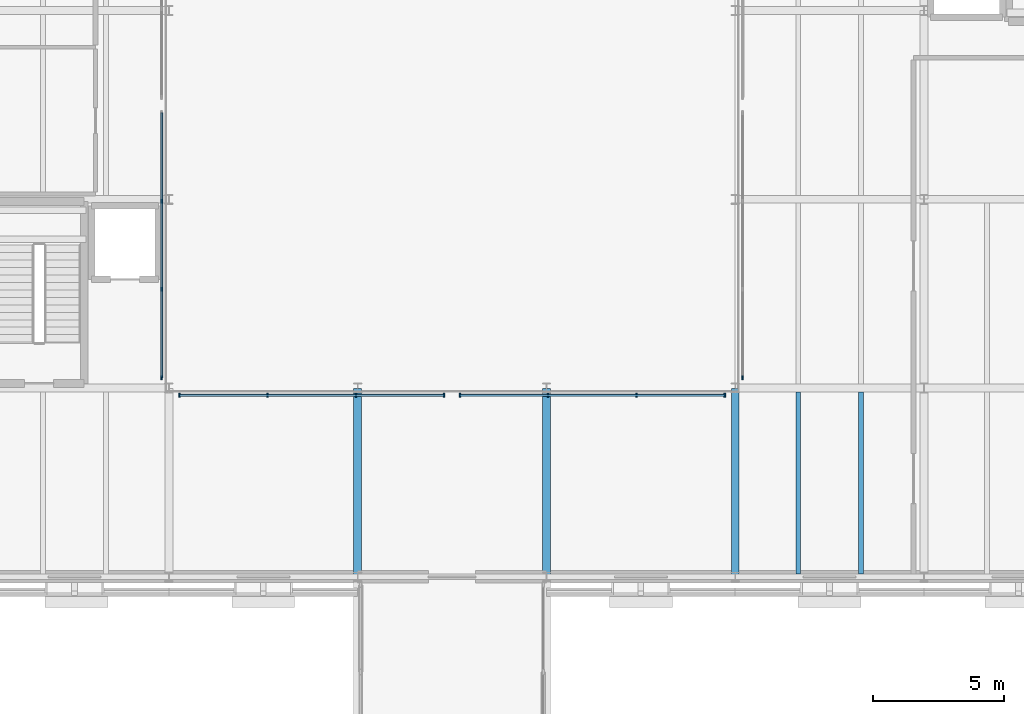
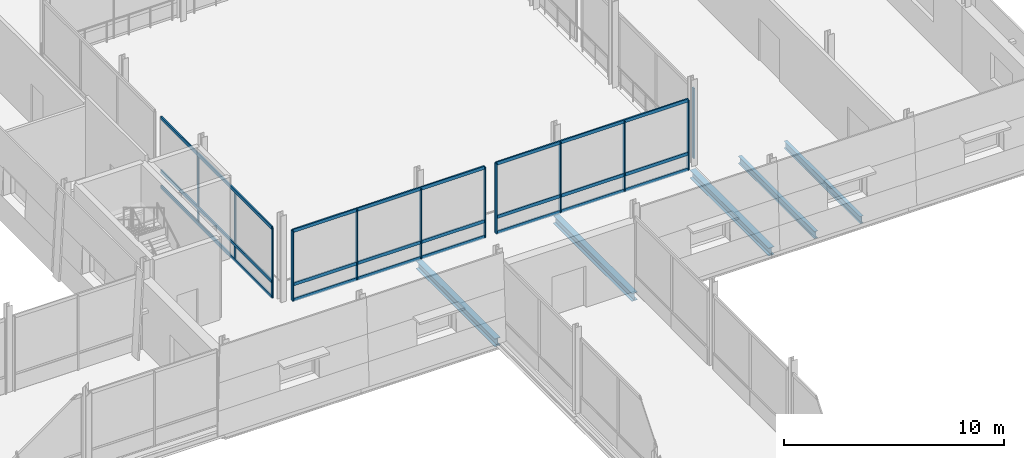
# One storey, part 45 of 121: 21 members, 5 beams, 4 elements without a shape of their own.
"""IFC4 building model written with IfcOpenShell, lengths in metres."""

from ifc_helpers import new_model, si_unit, direction, frame, origin, origin_2d, place, context, subcontext, project, spatial, rectangle, i_section, extrude, material, layer, layer_set, material_profile, profile_set, type_object, element, aggregate, save


model = new_model("IFC4")

# Units and contexts
model_context = context("Model", 3, precision=1e-05, world=origin(), true_north=direction((0.0, 1.0)))
body_context = subcontext(model_context, "Body", "Model", "MODEL_VIEW")
ifc_project = project(units=[si_unit("LENGTHUNIT", "METRE"), si_unit("AREAUNIT", "SQUARE_METRE"), si_unit("VOLUMEUNIT", "CUBIC_METRE"), si_unit("PLANEANGLEUNIT", "RADIAN"), si_unit("MASSUNIT", "GRAM", prefix="KILO")], contexts=[model_context])

# Site, building, storey
site_placement = place(None, origin())
site = spatial("IfcSite", under=ifc_project, at=site_placement, CompositionType="ELEMENT")
building_placement = place(site_placement, origin())
building = spatial("IfcBuilding", under=site, at=building_placement, Name="Narikvali Park Central Library", CompositionType="ELEMENT")
storey_placement = place(building_placement, frame((0.0, 0.0, 5.39990234375)))
storey = spatial("IfcBuildingStorey", under=building, at=storey_placement, Name="L01", CompositionType="ELEMENT", Elevation=5.39990234375)

# Beams
ifc_material_1 = material(Name="Steel S355", Category="steel")
ifc_material_profile_1 = material_profile(ifc_material_1, i_section(OverallWidth=0.179931640625, OverallDepth=0.39990234375, WebThickness=0.008544921875, FlangeThickness=0.013427734375, FilletRadius=0.02099609375, at=origin_2d()), Name="IPE 400")
ifc_profile_set_1 = profile_set([ifc_material_profile_1], Name="Steel S355")
beam_type_1 = type_object("IfcBeamType", Name="Composite Floor Joist IPE400", PredefinedType="JOIST", material=ifc_profile_set_1)
for number, where, z_axis, x_axis, name in (
    (1, (153.60009765625, 79.304931640625, -0.47998046875), (0.0, 1.0, 0.0), (-1.0, 0.0, 0.0), "V3 L01 Composite Joist 1"),
    (2, (156.0, 79.304931640625, -0.47998046875), (0.0, 1.0, 0.0), (-1.0, 0.0, 0.0), "V3 L01 Composite Joist 2"),
):
    element("IfcBeam", number, at=place(storey_placement, frame(where, z_axis=z_axis, x_axis=x_axis)), inside=storey, type_object=beam_type_1, Name=name, PredefinedType="JOIST", context=body_context, shape_type="SweptSolid", body=[
        extrude(i_section(OverallWidth=0.179931640625, OverallDepth=0.39990234375, WebThickness=0.008544921875, FlangeThickness=0.013427734375, FilletRadius=0.02099609375, at=origin_2d()), origin(), (0.0, 0.0, 1.0), 6.945068359375),
    ])

# Curtain wall, members
ifc_material_2 = material(Name="Anodised Bronze Aluminium", Category="aluminium")
ifc_layer = layer(ifc_material_2, 0.219970703125, Name="Anodised Bronze Aluminium")
ifc_layer_set = layer_set([ifc_layer], Name="Anodised Bronze Aluminium")
curtain_wall_type = type_object("IfcCurtainWallType", Name="Atrium Tall Curtain Wall System", PredefinedType="NOTDEFINED", material=ifc_layer_set)
curtain_wall_1_placement = place(storey_placement, origin())
curtain_wall_1 = element("IfcCurtainWall", 3, at=curtain_wall_1_placement, inside=storey, type_object=curtain_wall_type, Name="Atrium Tall Curtain Wall System CW-INT-V3-L01-W1", PredefinedType="NOTDEFINED")
ifc_material_profile_2 = material_profile(ifc_material_2, rectangle(XDim=0.074951171875, YDim=0.179931640625, at=origin_2d()), Name="CW TRANSOM 75x180")
ifc_profile_set_2 = profile_set([ifc_material_profile_2], Name="Anodised Bronze Aluminium")
member_type_1 = type_object("IfcMemberType", Name="Curtain Wall Heavy Transom 75x180", PredefinedType="USERDEFINED", material=ifc_profile_set_2)
member_1_placement = place(storey_placement, frame((129.320068359375, 86.800048828125, 0.030029296875), z_axis=(0.0, 1.0, 0.0), x_axis=(-1.0, 0.0, 0.0)))
member_1 = element("IfcMember", 4, at=member_1_placement, type_object=member_type_1, Name="CW-INT-V3-L01-W1 Transom 00", ObjectType="TRANSOM", PredefinedType="USERDEFINED", context=body_context, shape_type="SweptSolid", body=[
    extrude(rectangle(XDim=0.074951171875, YDim=0.179931640625, at=origin_2d()), origin(), (0.0, 0.0, 1.0), 10.099853515625),
])
member_2_placement = place(storey_placement, frame((129.320068359375, 86.800048828125, 0.900146484375), z_axis=(0.0, 1.0, 0.0), x_axis=(-1.0, 0.0, 0.0)))
member_2 = element("IfcMember", 5, at=member_2_placement, type_object=member_type_1, Name="CW-INT-V3-L01-W1 Transom 01", ObjectType="TRANSOM", PredefinedType="USERDEFINED", context=body_context, shape_type="SweptSolid", body=[
    extrude(rectangle(XDim=0.074951171875, YDim=0.179931640625, at=origin_2d()), origin(), (0.0, 0.0, 1.0), 10.099853515625),
])
member_3_placement = place(storey_placement, frame((129.320068359375, 86.800048828125, 3.8701171875), z_axis=(0.0, 1.0, 0.0), x_axis=(-1.0, 0.0, 0.0)))
member_3 = element("IfcMember", 6, at=member_3_placement, type_object=member_type_1, Name="CW-INT-V3-L01-W1 Transom 02", ObjectType="TRANSOM", PredefinedType="USERDEFINED", context=body_context, shape_type="SweptSolid", body=[
    extrude(rectangle(XDim=0.074951171875, YDim=0.179931640625, at=origin_2d()), origin(), (0.0, 0.0, 1.0), 10.099853515625),
])

curtain_wall_2_placement = place(storey_placement, origin())
curtain_wall_2 = element("IfcCurtainWall", 7, at=curtain_wall_2_placement, inside=storey, type_object=curtain_wall_type, Name="Atrium Tall Curtain Wall System CW-INT-V3-L01-S1", PredefinedType="NOTDEFINED")
member_4_placement = place(storey_placement, frame((130.0, 86.1201171875, 0.030029296875), z_axis=(1.0, 0.0, 0.0), x_axis=(0.0, 1.0, 0.0)))
member_4 = element("IfcMember", 8, at=member_4_placement, type_object=member_type_1, Name="CW-INT-V3-L01-S1 Transom 00", ObjectType="TRANSOM", PredefinedType="USERDEFINED", context=body_context, shape_type="SweptSolid", body=[
    extrude(rectangle(XDim=0.074951171875, YDim=0.179931640625, at=origin_2d()), origin(), (0.0, 0.0, 1.0), 10.10009765625),
])
member_5_placement = place(storey_placement, frame((130.0, 86.1201171875, 0.900146484375), z_axis=(1.0, 0.0, 0.0), x_axis=(0.0, 1.0, 0.0)))
member_5 = element("IfcMember", 9, at=member_5_placement, type_object=member_type_1, Name="CW-INT-V3-L01-S1 Transom 01", ObjectType="TRANSOM", PredefinedType="USERDEFINED", context=body_context, shape_type="SweptSolid", body=[
    extrude(rectangle(XDim=0.074951171875, YDim=0.179931640625, at=origin_2d()), origin(), (0.0, 0.0, 1.0), 10.10009765625),
])
member_6_placement = place(storey_placement, frame((130.0, 86.1201171875, 3.8701171875), z_axis=(1.0, 0.0, 0.0), x_axis=(0.0, 1.0, 0.0)))
member_6 = element("IfcMember", 10, at=member_6_placement, type_object=member_type_1, Name="CW-INT-V3-L01-S1 Transom 02", ObjectType="TRANSOM", PredefinedType="USERDEFINED", context=body_context, shape_type="SweptSolid", body=[
    extrude(rectangle(XDim=0.074951171875, YDim=0.179931640625, at=origin_2d()), origin(), (0.0, 0.0, 1.0), 10.10009765625),
])

curtain_wall_3_placement = place(storey_placement, origin())
curtain_wall_3 = element("IfcCurtainWall", 11, at=curtain_wall_3_placement, inside=storey, type_object=curtain_wall_type, Name="Atrium Tall Curtain Wall System CW-INT-V3-L01-S2", PredefinedType="NOTDEFINED")
member_7_placement = place(storey_placement, frame((140.699951171875, 86.1201171875, 0.030029296875), z_axis=(1.0, 0.0, 0.0), x_axis=(0.0, 1.0, 0.0)))
member_7 = element("IfcMember", 12, at=member_7_placement, type_object=member_type_1, Name="CW-INT-V3-L01-S2 Transom 00", ObjectType="TRANSOM", PredefinedType="USERDEFINED", context=body_context, shape_type="SweptSolid", body=[
    extrude(rectangle(XDim=0.074951171875, YDim=0.179931640625, at=origin_2d()), origin(), (0.0, 0.0, 1.0), 10.10009765625),
])
member_8_placement = place(storey_placement, frame((140.699951171875, 86.1201171875, 0.900146484375), z_axis=(1.0, 0.0, 0.0), x_axis=(0.0, 1.0, 0.0)))
member_8 = element("IfcMember", 13, at=member_8_placement, type_object=member_type_1, Name="CW-INT-V3-L01-S2 Transom 01", ObjectType="TRANSOM", PredefinedType="USERDEFINED", context=body_context, shape_type="SweptSolid", body=[
    extrude(rectangle(XDim=0.074951171875, YDim=0.179931640625, at=origin_2d()), origin(), (0.0, 0.0, 1.0), 10.10009765625),
])
member_9_placement = place(storey_placement, frame((140.699951171875, 86.1201171875, 3.8701171875), z_axis=(1.0, 0.0, 0.0), x_axis=(0.0, 1.0, 0.0)))
member_9 = element("IfcMember", 14, at=member_9_placement, type_object=member_type_1, Name="CW-INT-V3-L01-S2 Transom 02", ObjectType="TRANSOM", PredefinedType="USERDEFINED", context=body_context, shape_type="SweptSolid", body=[
    extrude(rectangle(XDim=0.074951171875, YDim=0.179931640625, at=origin_2d()), origin(), (0.0, 0.0, 1.0), 10.10009765625),
])

# Member
ifc_material_profile_3 = material_profile(ifc_material_2, rectangle(XDim=0.06005859375, YDim=0.14990234375, at=origin_2d()), Name="CW MULLION 60x150")
ifc_profile_set_3 = profile_set([ifc_material_profile_3], Name="Anodised Bronze Aluminium")
member_type_2 = type_object("IfcMemberType", Name="Curtain Wall Mullion 60x150", PredefinedType="MULLION", material=ifc_profile_set_3)
member_10_placement = place(storey_placement, frame((129.320068359375, 86.800048828125, -0.010009765625), z_axis=(0.0, 0.0, 1.0), x_axis=(1.0, 0.0, 0.0)))
member_10 = element("IfcMember", 15, at=member_10_placement, type_object=member_type_2, Name="CW-INT-V3-L01-W1 Mullion 00", PredefinedType="MULLION", context=body_context, shape_type="SweptSolid", body=[
    extrude(rectangle(XDim=0.06005859375, YDim=0.14990234375, at=origin_2d()), origin(), (0.0, 0.0, 1.0), 3.91015625),
])

member_11_placement = place(storey_placement, frame((129.320068359375, 90.166748046875, -0.010009765625), z_axis=(0.0, 0.0, 1.0), x_axis=(1.0, 0.0, 0.0)))
member_11 = element("IfcMember", 16, at=member_11_placement, type_object=member_type_2, Name="CW-INT-V3-L01-W1 Mullion 01", PredefinedType="MULLION", context=body_context, shape_type="SweptSolid", body=[
    extrude(rectangle(XDim=0.06005859375, YDim=0.14990234375, at=origin_2d()), origin(), (0.0, 0.0, 1.0), 3.91015625),
])

member_12_placement = place(storey_placement, frame((129.320068359375, 93.533203125, -0.010009765625), z_axis=(0.0, 0.0, 1.0), x_axis=(1.0, 0.0, 0.0)))
member_12 = element("IfcMember", 17, at=member_12_placement, type_object=member_type_2, Name="CW-INT-V3-L01-W1 Mullion 02", PredefinedType="MULLION", context=body_context, shape_type="SweptSolid", body=[
    extrude(rectangle(XDim=0.06005859375, YDim=0.14990234375, at=origin_2d()), origin(), (0.0, 0.0, 1.0), 3.91015625),
])

aggregate(curtain_wall_1, [member_10, member_11, member_12, member_1, member_2, member_3])

# Curtain wall, member
curtain_wall_4_placement = place(storey_placement, origin())
curtain_wall_4 = element("IfcCurtainWall", 18, at=curtain_wall_4_placement, inside=storey, type_object=curtain_wall_type, Name="Atrium Tall Curtain Wall System CW-INT-V3-L01-E1", PredefinedType="NOTDEFINED")
member_13_placement = place(storey_placement, frame((151.47998046875, 86.800048828125, -0.010009765625), z_axis=(0.0, 0.0, 1.0), x_axis=(1.0, 0.0, 0.0)))
member_13 = element("IfcMember", 19, at=member_13_placement, type_object=member_type_2, Name="CW-INT-V3-L01-E1 Mullion 00", PredefinedType="MULLION", context=body_context, shape_type="SweptSolid", body=[
    extrude(rectangle(XDim=0.06005859375, YDim=0.14990234375, at=origin_2d()), origin(), (0.0, 0.0, 1.0), 3.91015625),
])
aggregate(curtain_wall_4, [member_13])

# Member
member_14_placement = place(storey_placement, frame((130.0, 86.1201171875, -0.010009765625), z_axis=(0.0, 0.0, 1.0), x_axis=(1.0, 0.0, 0.0)))
member_14 = element("IfcMember", 20, at=member_14_placement, type_object=member_type_2, Name="CW-INT-V3-L01-S1 Mullion 00", PredefinedType="MULLION", context=body_context, shape_type="SweptSolid", body=[
    extrude(rectangle(XDim=0.06005859375, YDim=0.14990234375, at=origin_2d()), origin(), (0.0, 0.0, 1.0), 3.91015625),
])

member_15_placement = place(storey_placement, frame((133.36669921875, 86.1201171875, -0.010009765625), z_axis=(0.0, 0.0, 1.0), x_axis=(1.0, 0.0, 0.0)))
member_15 = element("IfcMember", 21, at=member_15_placement, type_object=member_type_2, Name="CW-INT-V3-L01-S1 Mullion 01", PredefinedType="MULLION", context=body_context, shape_type="SweptSolid", body=[
    extrude(rectangle(XDim=0.06005859375, YDim=0.14990234375, at=origin_2d()), origin(), (0.0, 0.0, 1.0), 3.91015625),
])

member_16_placement = place(storey_placement, frame((136.7333984375, 86.1201171875, -0.010009765625), z_axis=(0.0, 0.0, 1.0), x_axis=(1.0, 0.0, 0.0)))
member_16 = element("IfcMember", 22, at=member_16_placement, type_object=member_type_2, Name="CW-INT-V3-L01-S1 Mullion 02", PredefinedType="MULLION", context=body_context, shape_type="SweptSolid", body=[
    extrude(rectangle(XDim=0.06005859375, YDim=0.14990234375, at=origin_2d()), origin(), (0.0, 0.0, 1.0), 3.91015625),
])

member_17_placement = place(storey_placement, frame((140.10009765625, 86.1201171875, -0.010009765625), z_axis=(0.0, 0.0, 1.0), x_axis=(1.0, 0.0, 0.0)))
member_17 = element("IfcMember", 23, at=member_17_placement, type_object=member_type_2, Name="CW-INT-V3-L01-S1 Mullion 03", PredefinedType="MULLION", context=body_context, shape_type="SweptSolid", body=[
    extrude(rectangle(XDim=0.06005859375, YDim=0.14990234375, at=origin_2d()), origin(), (0.0, 0.0, 1.0), 3.91015625),
])

aggregate(curtain_wall_2, [member_14, member_15, member_16, member_17, member_4, member_5, member_6])

member_18_placement = place(storey_placement, frame((140.699951171875, 86.1201171875, -0.010009765625), z_axis=(0.0, 0.0, 1.0), x_axis=(1.0, 0.0, 0.0)))
member_18 = element("IfcMember", 24, at=member_18_placement, type_object=member_type_2, Name="CW-INT-V3-L01-S2 Mullion 00", PredefinedType="MULLION", context=body_context, shape_type="SweptSolid", body=[
    extrude(rectangle(XDim=0.06005859375, YDim=0.14990234375, at=origin_2d()), origin(), (0.0, 0.0, 1.0), 3.91015625),
])

member_19_placement = place(storey_placement, frame((144.066650390625, 86.1201171875, -0.010009765625), z_axis=(0.0, 0.0, 1.0), x_axis=(1.0, 0.0, 0.0)))
member_19 = element("IfcMember", 25, at=member_19_placement, type_object=member_type_2, Name="CW-INT-V3-L01-S2 Mullion 01", PredefinedType="MULLION", context=body_context, shape_type="SweptSolid", body=[
    extrude(rectangle(XDim=0.06005859375, YDim=0.14990234375, at=origin_2d()), origin(), (0.0, 0.0, 1.0), 3.91015625),
])

member_20_placement = place(storey_placement, frame((147.433349609375, 86.1201171875, -0.010009765625), z_axis=(0.0, 0.0, 1.0), x_axis=(1.0, 0.0, 0.0)))
member_20 = element("IfcMember", 26, at=member_20_placement, type_object=member_type_2, Name="CW-INT-V3-L01-S2 Mullion 02", PredefinedType="MULLION", context=body_context, shape_type="SweptSolid", body=[
    extrude(rectangle(XDim=0.06005859375, YDim=0.14990234375, at=origin_2d()), origin(), (0.0, 0.0, 1.0), 3.91015625),
])

member_21_placement = place(storey_placement, frame((150.800048828125, 86.1201171875, -0.010009765625), z_axis=(0.0, 0.0, 1.0), x_axis=(1.0, 0.0, 0.0)))
member_21 = element("IfcMember", 27, at=member_21_placement, type_object=member_type_2, Name="CW-INT-V3-L01-S2 Mullion 03", PredefinedType="MULLION", context=body_context, shape_type="SweptSolid", body=[
    extrude(rectangle(XDim=0.06005859375, YDim=0.14990234375, at=origin_2d()), origin(), (0.0, 0.0, 1.0), 3.91015625),
])

aggregate(curtain_wall_3, [member_18, member_19, member_20, member_21, member_7, member_8, member_9])

# Beams
ifc_material_profile_4 = material_profile(ifc_material_1, i_section(OverallWidth=0.300048828125, OverallDepth=0.43994140625, WebThickness=0.011474609375, FlangeThickness=0.02099609375, FilletRadius=0.027099609375, at=origin_2d()), Name="HEA 450")
ifc_profile_set_4 = profile_set([ifc_material_profile_4], Name="Steel S355")
beam_type_2 = type_object("IfcBeamType", Name="Primary Girder HEA450", PredefinedType="BEAM", material=ifc_profile_set_4)
for number, where, z_axis, x_axis, name in (
    (28, (136.800048828125, 79.2080078125, -0.5), (0.0, 1.0, 0.0), (-1.0, 0.0, 0.0), "V3 L01 Girder Y"),
    (29, (144.0, 79.2080078125, -0.5), (0.0, 1.0, 0.0), (-1.0, 0.0, 0.0), "V3 L01 Girder Y"),
    (30, (151.199951171875, 79.2080078125, -0.5), (0.0, 1.0, 0.0), (-1.0, 0.0, 0.0), "V3 L01 Girder Y"),
):
    element("IfcBeam", number, at=place(storey_placement, frame(where, z_axis=z_axis, x_axis=x_axis)), inside=storey, type_object=beam_type_2, Name=name, PredefinedType="BEAM", context=body_context, shape_type="SweptSolid", body=[
        extrude(i_section(OverallWidth=0.300048828125, OverallDepth=0.43994140625, WebThickness=0.011474609375, FlangeThickness=0.02099609375, FilletRadius=0.027099609375, at=origin_2d()), origin(), (0.0, 0.0, 1.0), 7.18408203125),
    ])

save(model, "model.ifc")
